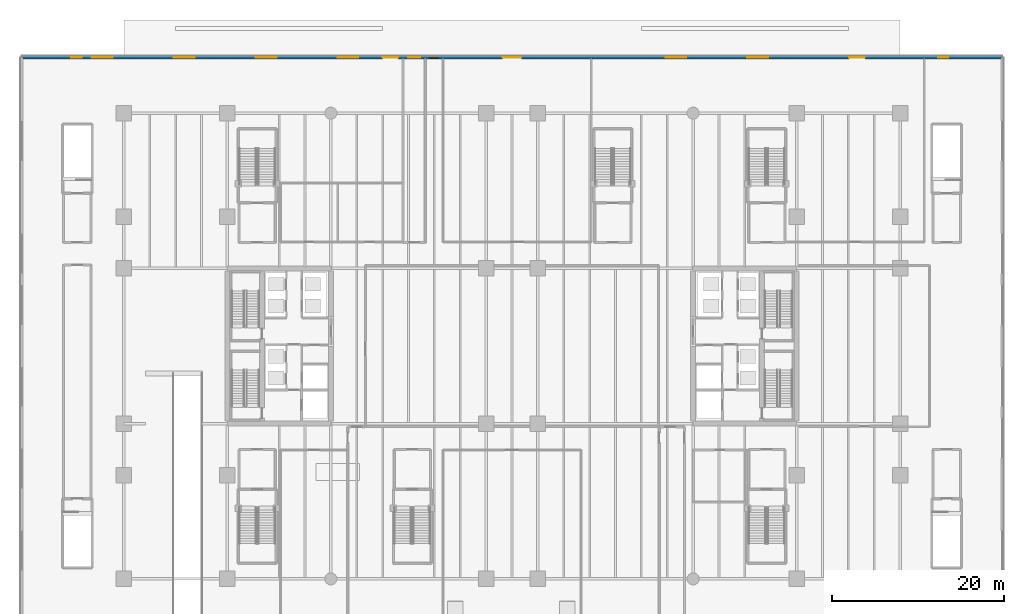
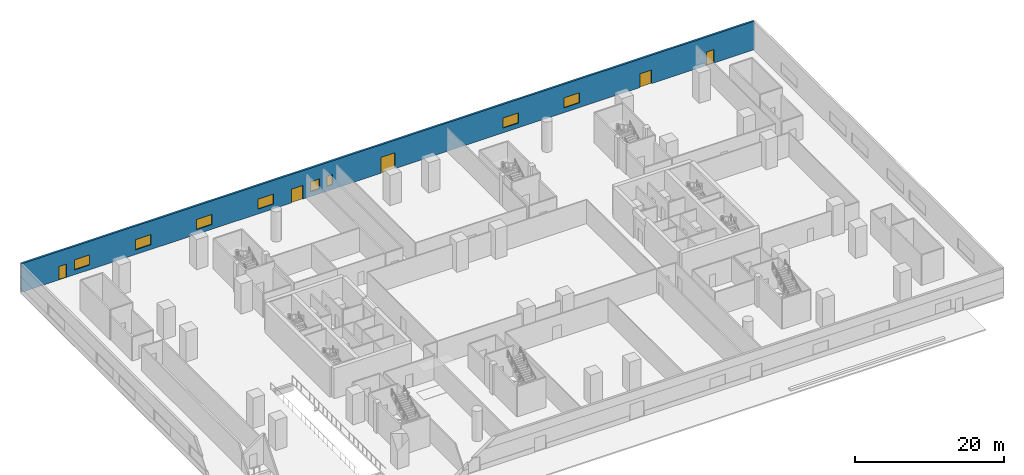
# One storey, part 11 of 25: 8 windows, 5 doors, 1 wall, 13 openings.
"""IFC4 building model written with IfcOpenShell, lengths in metres."""

from ifc_helpers import new_model, si_unit, direction, frame, frame_2d, origin, place, context, subcontext, project, spatial, rectangle, extrude, material, layer, layer_set, type_object, element, fill, save


model = new_model("IFC4")

# Units and contexts
model_context = context("Model", 3, precision=1e-05, world=origin(), true_north=direction((0.0, 1.0)))
body_context = subcontext(model_context, "Body", "Model", "MODEL_VIEW")
ifc_project = project(units=[si_unit("LENGTHUNIT", "METRE"), si_unit("AREAUNIT", "SQUARE_METRE"), si_unit("VOLUMEUNIT", "CUBIC_METRE"), si_unit("PLANEANGLEUNIT", "RADIAN"), si_unit("MASSUNIT", "GRAM", prefix="KILO")], contexts=[model_context])

# Site, building, storey
site_placement = place(None, origin())
site = spatial("IfcSite", under=ifc_project, at=site_placement, CompositionType="ELEMENT")
building_placement = place(site_placement, origin())
building = spatial("IfcBuilding", under=site, at=building_placement, Name="Tanjung Sevakor Pilgrim Tower", CompositionType="ELEMENT")
storey_placement = place(building_placement, origin())
storey = spatial("IfcBuildingStorey", under=building, at=storey_placement, Name="L01", CompositionType="ELEMENT", Elevation=0.0)

# Wall, openings, doors, windows
ifc_material_1 = material(Name="Precast concrete C45/55", Category="concrete")
ifc_layer = layer(ifc_material_1, 0.300048828125)
ifc_layer_set = layer_set([ifc_layer], Name="WT-EW-STN1")
wall_type = type_object("IfcWallType", Name="WT-EW-STN1", PredefinedType="SOLIDWALL", material=ifc_layer_set)
wall_placement = place(storey_placement, frame((113.85009765625, 67.050048828125, 0.0), z_axis=(0.0, 0.0, 1.0), x_axis=(-1.0, 0.0, 0.0)))
wall = element("IfcWall", 1, at=wall_placement, inside=storey, type_object=wall_type, Name="L01 MAIN Exterior Wall 3", PredefinedType="SOLIDWALL", context=body_context, shape_type="SweptSolid", body=[
    extrude(rectangle(XDim=113.7001953125, YDim=0.300048828125, at=frame_2d((56.85009765625, 0.0))), origin(), (0.0, 0.0, 1.0), 4.669921875),
])
opening_1_placement = place(wall_placement, frame((6.25, 0.0, 0.0)))
opening_1 = element("IfcOpeningElement", 2, at=opening_1_placement, cuts=wall, Name="Opening ED-EXIT-1200", PredefinedType="OPENING", context=body_context, shape_type="SweptSolid", body=[
    extrude(rectangle(XDim=1.199951171875, YDim=2.199951171875, at=frame_2d((0.60009765625, 1.10009765625))), frame((0.0, 0.159912109375, 0.0), z_axis=(0.0, -1.0, 0.0), x_axis=(1.0, 0.0, 0.0)), (0.0, 0.0, 1.0), 0.320068359375),
])
opening_2_placement = place(wall_placement, frame((15.949951171875, 0.0, 0.0)))
opening_2 = element("IfcOpeningElement", 3, at=opening_2_placement, cuts=wall, Name="Opening ED-EXIT-1800", PredefinedType="OPENING", context=body_context, shape_type="SweptSolid", body=[
    extrude(rectangle(XDim=1.800048828125, YDim=2.25, at=frame_2d((0.89990234375, 1.125))), frame((0.0, 0.159912109375, 0.0), z_axis=(0.0, -1.0, 0.0), x_axis=(1.0, 0.0, 0.0)), (0.0, 0.0, 1.0), 0.320068359375),
])
opening_3_placement = place(wall_placement, frame((55.75, 0.0, 0.0)))
opening_3 = element("IfcOpeningElement", 4, at=opening_3_placement, cuts=wall, Name="Opening ED-ENT-2200", PredefinedType="OPENING", context=body_context, shape_type="SweptSolid", body=[
    extrude(rectangle(XDim=2.199951171875, YDim=2.60009765625, at=frame_2d((1.10009765625, 1.300048828125))), frame((0.0, 0.159912109375, 0.0), z_axis=(0.0, -1.0, 0.0), x_axis=(1.0, 0.0, 0.0)), (0.0, 0.0, 1.0), 0.320068359375),
])
opening_4_placement = place(wall_placement, frame((70.050048828125, 0.0, 0.0)))
opening_4 = element("IfcOpeningElement", 5, at=opening_4_placement, cuts=wall, Name="Opening ED-EXIT-1800", PredefinedType="OPENING", context=body_context, shape_type="SweptSolid", body=[
    extrude(rectangle(XDim=1.800048828125, YDim=2.25, at=frame_2d((0.89990234375, 1.125))), frame((0.0, 0.159912109375, 0.0), z_axis=(0.0, -1.0, 0.0), x_axis=(1.0, 0.0, 0.0)), (0.0, 0.0, 1.0), 0.320068359375),
])
opening_5_placement = place(wall_placement, frame((106.75, 0.0, 0.0)))
opening_5 = element("IfcOpeningElement", 6, at=opening_5_placement, cuts=wall, Name="Opening ED-EXIT-1200", PredefinedType="OPENING", context=body_context, shape_type="SweptSolid", body=[
    extrude(rectangle(XDim=1.199951171875, YDim=2.199951171875, at=frame_2d((0.60009765625, 1.10009765625))), frame((0.0, 0.159912109375, 0.0), z_axis=(0.0, -1.0, 0.0), x_axis=(1.0, 0.0, 0.0)), (0.0, 0.0, 1.0), 0.320068359375),
])
opening_6_placement = place(wall_placement, frame((67.5, 0.0, 0.780029296875)))
opening_6 = element("IfcOpeningElement", 7, at=opening_6_placement, cuts=wall, Name="Opening WN-END", PredefinedType="OPENING", context=body_context, shape_type="SweptSolid", body=[
    extrude(rectangle(XDim=1.39990234375, YDim=1.64990234375, at=frame_2d((0.699951171875, 0.824951171875))), frame((0.0, 0.159912109375, 0.0), z_axis=(0.0, -1.0, 0.0), x_axis=(1.0, 0.0, 0.0)), (0.0, 0.0, 1.0), 0.320068359375),
])
opening_7_placement = place(wall_placement, frame((65.449951171875, 0.0, 0.780029296875)))
opening_7 = element("IfcOpeningElement", 8, at=opening_7_placement, cuts=wall, Name="Opening WN-SLM", PredefinedType="OPENING", context=body_context, shape_type="SweptSolid", body=[
    extrude(rectangle(XDim=0.85009765625, YDim=1.64990234375, at=frame_2d((0.425048828125, 0.824951171875))), frame((0.0, 0.159912109375, 0.0), z_axis=(0.0, -1.0, 0.0), x_axis=(1.0, 0.0, 0.0)), (0.0, 0.0, 1.0), 0.320068359375),
])
opening_8_placement = place(wall_placement, frame((27.14990234375, 0.0, 0.780029296875)))
opening_8 = element("IfcOpeningElement", 9, at=opening_8_placement, cuts=wall, Name="Opening WN-P1-1660", PredefinedType="OPENING", context=body_context, shape_type="SweptSolid", body=[
    extrude(rectangle(XDim=2.39990234375, YDim=1.659912109375, at=frame_2d((1.199951171875, 0.830078125))), frame((0.0, 0.159912109375, 0.0), z_axis=(0.0, -1.0, 0.0), x_axis=(1.0, 0.0, 0.0)), (0.0, 0.0, 1.0), 0.320068359375),
])
opening_9_placement = place(wall_placement, frame((36.64990234375, 0.0, 0.780029296875)))
opening_9 = element("IfcOpeningElement", 10, at=opening_9_placement, cuts=wall, Name="Opening WN-P1-1660", PredefinedType="OPENING", context=body_context, shape_type="SweptSolid", body=[
    extrude(rectangle(XDim=2.39990234375, YDim=1.659912109375, at=frame_2d((1.199951171875, 0.830078125))), frame((0.0, 0.159912109375, 0.0), z_axis=(0.0, -1.0, 0.0), x_axis=(1.0, 0.0, 0.0)), (0.0, 0.0, 1.0), 0.320068359375),
])
opening_10_placement = place(wall_placement, frame((74.64990234375, 0.0, 0.780029296875)))
opening_10 = element("IfcOpeningElement", 11, at=opening_10_placement, cuts=wall, Name="Opening WN-P1-1660", PredefinedType="OPENING", context=body_context, shape_type="SweptSolid", body=[
    extrude(rectangle(XDim=2.39990234375, YDim=1.659912109375, at=frame_2d((1.199951171875, 0.830078125))), frame((0.0, 0.159912109375, 0.0), z_axis=(0.0, -1.0, 0.0), x_axis=(1.0, 0.0, 0.0)), (0.0, 0.0, 1.0), 0.320068359375),
])
opening_11_placement = place(wall_placement, frame((84.14990234375, 0.0, 0.780029296875)))
opening_11 = element("IfcOpeningElement", 12, at=opening_11_placement, cuts=wall, Name="Opening WN-P1-1660", PredefinedType="OPENING", context=body_context, shape_type="SweptSolid", body=[
    extrude(rectangle(XDim=2.39990234375, YDim=1.659912109375, at=frame_2d((1.199951171875, 0.830078125))), frame((0.0, 0.159912109375, 0.0), z_axis=(0.0, -1.0, 0.0), x_axis=(1.0, 0.0, 0.0)), (0.0, 0.0, 1.0), 0.320068359375),
])
opening_12_placement = place(wall_placement, frame((93.64990234375, 0.0, 0.780029296875)))
opening_12 = element("IfcOpeningElement", 13, at=opening_12_placement, cuts=wall, Name="Opening WN-P1-1660", PredefinedType="OPENING", context=body_context, shape_type="SweptSolid", body=[
    extrude(rectangle(XDim=2.39990234375, YDim=1.659912109375, at=frame_2d((1.199951171875, 0.830078125))), frame((0.0, 0.159912109375, 0.0), z_axis=(0.0, -1.0, 0.0), x_axis=(1.0, 0.0, 0.0)), (0.0, 0.0, 1.0), 0.320068359375),
])
opening_13_placement = place(wall_placement, frame((103.14990234375, 0.0, 0.780029296875)))
opening_13 = element("IfcOpeningElement", 14, at=opening_13_placement, cuts=wall, Name="Opening WN-P1-1660", PredefinedType="OPENING", context=body_context, shape_type="SweptSolid", body=[
    extrude(rectangle(XDim=2.39990234375, YDim=1.659912109375, at=frame_2d((1.199951171875, 0.830078125))), frame((0.0, 0.159912109375, 0.0), z_axis=(0.0, -1.0, 0.0), x_axis=(1.0, 0.0, 0.0)), (0.0, 0.0, 1.0), 0.320068359375),
])
ifc_material_2 = material(Name="Anodised Aluminium and Laminated Glass", Category="aluminium")
door_type_1 = type_object("IfcDoorType", Name="DTYP-ED-ENT-2200", OperationType="DOUBLE_DOOR_SINGLE_SWING", PredefinedType="DOOR", material=ifc_material_2)
door_1_placement = place(opening_3_placement, frame((2.199951171875, 0.0, 0.0), z_axis=(0.0, 0.0, 1.0), x_axis=(-1.0, 0.0, 0.0)))
door_1 = element("IfcDoor", 15, at=door_1_placement, inside=storey, type_object=door_type_1, Name="L01 North Concourse Entrance", OperationType="SINGLE_SWING_LEFT", OverallHeight=2.60009765625, OverallWidth=2.199951171875, PredefinedType="DOOR", context=body_context, shape_type="SweptSolid", body=[
    extrude(rectangle(XDim=2.199951171875, YDim=2.60009765625, at=frame_2d((1.10009765625, 1.300048828125))), frame((0.0, 0.02490234375, 0.0), z_axis=(0.0, -1.0, 0.0), x_axis=(1.0, 0.0, 0.0)), (0.0, 0.0, 1.0), 0.050048828125),
])
fill(opening_3, door_1)
ifc_material_3 = material(Name="Anodised Aluminium and Laminated Glass", Category="aluminium")
door_type_2 = type_object("IfcDoorType", Name="DTYP-ED-EXIT-1200", OperationType="NOTDEFINED", PredefinedType="DOOR", material=ifc_material_3)
door_2_placement = place(opening_1_placement, frame((1.199951171875, 0.0, 0.0), z_axis=(0.0, 0.0, 1.0), x_axis=(-1.0, 0.0, 0.0)))
door_2 = element("IfcDoor", 16, at=door_2_placement, inside=storey, type_object=door_type_2, Name="L01 North-East Stair Discharge Door", OperationType="SINGLE_SWING_LEFT", OverallHeight=2.199951171875, OverallWidth=1.199951171875, PredefinedType="DOOR", context=body_context, shape_type="SweptSolid", body=[
    extrude(rectangle(XDim=1.199951171875, YDim=2.199951171875, at=frame_2d((0.60009765625, 1.10009765625))), frame((0.0, 0.02490234375, 0.0), z_axis=(0.0, -1.0, 0.0), x_axis=(1.0, 0.0, 0.0)), (0.0, 0.0, 1.0), 0.050048828125),
])
fill(opening_1, door_2)
door_3_placement = place(opening_5_placement, frame((1.199951171875, 0.0, 0.0), z_axis=(0.0, 0.0, 1.0), x_axis=(-1.0, 0.0, 0.0)))
door_3 = element("IfcDoor", 17, at=door_3_placement, inside=storey, type_object=door_type_2, Name="L01 North-West Stair Discharge Door", OperationType="SINGLE_SWING_LEFT", OverallHeight=2.199951171875, OverallWidth=1.199951171875, PredefinedType="DOOR", context=body_context, shape_type="SweptSolid", body=[
    extrude(rectangle(XDim=1.199951171875, YDim=2.199951171875, at=frame_2d((0.60009765625, 1.10009765625))), frame((0.0, 0.02490234375, 0.0), z_axis=(0.0, -1.0, 0.0), x_axis=(1.0, 0.0, 0.0)), (0.0, 0.0, 1.0), 0.050048828125),
])
fill(opening_5, door_3)
ifc_material_4 = material(Name="Anodised Aluminium and Laminated Glass", Category="aluminium")
door_type_3 = type_object("IfcDoorType", Name="DTYP-ED-EXIT-1800", OperationType="DOUBLE_DOOR_SINGLE_SWING", PredefinedType="DOOR", material=ifc_material_4)
door_4_placement = place(opening_2_placement, frame((1.800048828125, 0.0, 0.0), z_axis=(0.0, 0.0, 1.0), x_axis=(-1.0, 0.0, 0.0)))
door_4 = element("IfcDoor", 18, at=door_4_placement, inside=storey, type_object=door_type_3, Name="L01 East Retail Street Entrance", OperationType="SINGLE_SWING_RIGHT", OverallHeight=2.25, OverallWidth=1.800048828125, PredefinedType="DOOR", context=body_context, shape_type="SweptSolid", body=[
    extrude(rectangle(XDim=1.800048828125, YDim=2.25, at=frame_2d((0.89990234375, 1.125))), frame((0.0, 0.02490234375, 0.0), z_axis=(0.0, -1.0, 0.0), x_axis=(1.0, 0.0, 0.0)), (0.0, 0.0, 1.0), 0.050048828125),
])
fill(opening_2, door_4)
door_5_placement = place(opening_4_placement, frame((1.800048828125, 0.0, 0.0), z_axis=(0.0, 0.0, 1.0), x_axis=(-1.0, 0.0, 0.0)))
door_5 = element("IfcDoor", 19, at=door_5_placement, inside=storey, type_object=door_type_3, Name="L01 North Protected Final Exit Door", OperationType="SINGLE_SWING_RIGHT", OverallHeight=2.25, OverallWidth=1.800048828125, PredefinedType="DOOR", context=body_context, shape_type="SweptSolid", body=[
    extrude(rectangle(XDim=1.800048828125, YDim=2.25, at=frame_2d((0.89990234375, 1.125))), frame((0.0, 0.02490234375, 0.0), z_axis=(0.0, -1.0, 0.0), x_axis=(1.0, 0.0, 0.0)), (0.0, 0.0, 1.0), 0.050048828125),
])
fill(opening_4, door_5)
ifc_material_5 = material(Name="Thermally Broken Aluminium and Low-E Glass", Category="aluminium")
window_type_1 = type_object("IfcWindowType", Name="WTYP-WN-END", PartitioningType="SINGLE_PANEL", PredefinedType="WINDOW", material=ifc_material_5)
window_1_placement = place(opening_6_placement, origin())
window_1 = element("IfcWindow", 20, at=window_1_placement, inside=storey, type_object=window_type_1, Name="L01 Facade Window 01", OverallHeight=1.64990234375, OverallWidth=1.39990234375, PartitioningType="SINGLE_PANEL", PredefinedType="WINDOW", context=body_context, shape_type="SweptSolid", body=[
    extrude(rectangle(XDim=1.39990234375, YDim=1.64990234375, at=frame_2d((0.699951171875, 0.824951171875))), frame((0.0, 0.030029296875, 0.0), z_axis=(0.0, -1.0, 0.0), x_axis=(1.0, 0.0, 0.0)), (0.0, 0.0, 1.0), 0.06005859375),
])
fill(opening_6, window_1)
ifc_material_6 = material(Name="Thermally Broken Aluminium and Low-E Glass", Category="aluminium")
window_type_2 = type_object("IfcWindowType", Name="WTYP-WN-P1-1660", PartitioningType="DOUBLE_PANEL_VERTICAL", PredefinedType="WINDOW", material=ifc_material_6)
window_2_placement = place(opening_8_placement, origin())
window_2 = element("IfcWindow", 21, at=window_2_placement, inside=storey, type_object=window_type_2, Name="L01 Facade Window 03", OverallHeight=1.659912109375, OverallWidth=2.39990234375, PartitioningType="SINGLE_PANEL", PredefinedType="WINDOW", context=body_context, shape_type="SweptSolid", body=[
    extrude(rectangle(XDim=2.39990234375, YDim=1.659912109375, at=frame_2d((1.199951171875, 0.830078125))), frame((0.0, 0.030029296875, 0.0), z_axis=(0.0, -1.0, 0.0), x_axis=(1.0, 0.0, 0.0)), (0.0, 0.0, 1.0), 0.06005859375),
])
fill(opening_8, window_2)
window_3_placement = place(opening_9_placement, origin())
window_3 = element("IfcWindow", 22, at=window_3_placement, inside=storey, type_object=window_type_2, Name="L01 Facade Window 04", OverallHeight=1.659912109375, OverallWidth=2.39990234375, PartitioningType="SINGLE_PANEL", PredefinedType="WINDOW", context=body_context, shape_type="SweptSolid", body=[
    extrude(rectangle(XDim=2.39990234375, YDim=1.659912109375, at=frame_2d((1.199951171875, 0.830078125))), frame((0.0, 0.030029296875, 0.0), z_axis=(0.0, -1.0, 0.0), x_axis=(1.0, 0.0, 0.0)), (0.0, 0.0, 1.0), 0.06005859375),
])
fill(opening_9, window_3)
window_4_placement = place(opening_10_placement, origin())
window_4 = element("IfcWindow", 23, at=window_4_placement, inside=storey, type_object=window_type_2, Name="L01 Facade Window 05", OverallHeight=1.659912109375, OverallWidth=2.39990234375, PartitioningType="SINGLE_PANEL", PredefinedType="WINDOW", context=body_context, shape_type="SweptSolid", body=[
    extrude(rectangle(XDim=2.39990234375, YDim=1.659912109375, at=frame_2d((1.199951171875, 0.830078125))), frame((0.0, 0.030029296875, 0.0), z_axis=(0.0, -1.0, 0.0), x_axis=(1.0, 0.0, 0.0)), (0.0, 0.0, 1.0), 0.06005859375),
])
fill(opening_10, window_4)
window_5_placement = place(opening_11_placement, origin())
window_5 = element("IfcWindow", 24, at=window_5_placement, inside=storey, type_object=window_type_2, Name="L01 Facade Window 06", OverallHeight=1.659912109375, OverallWidth=2.39990234375, PartitioningType="SINGLE_PANEL", PredefinedType="WINDOW", context=body_context, shape_type="SweptSolid", body=[
    extrude(rectangle(XDim=2.39990234375, YDim=1.659912109375, at=frame_2d((1.199951171875, 0.830078125))), frame((0.0, 0.030029296875, 0.0), z_axis=(0.0, -1.0, 0.0), x_axis=(1.0, 0.0, 0.0)), (0.0, 0.0, 1.0), 0.06005859375),
])
fill(opening_11, window_5)
window_6_placement = place(opening_12_placement, origin())
window_6 = element("IfcWindow", 25, at=window_6_placement, inside=storey, type_object=window_type_2, Name="L01 Facade Window 07", OverallHeight=1.659912109375, OverallWidth=2.39990234375, PartitioningType="SINGLE_PANEL", PredefinedType="WINDOW", context=body_context, shape_type="SweptSolid", body=[
    extrude(rectangle(XDim=2.39990234375, YDim=1.659912109375, at=frame_2d((1.199951171875, 0.830078125))), frame((0.0, 0.030029296875, 0.0), z_axis=(0.0, -1.0, 0.0), x_axis=(1.0, 0.0, 0.0)), (0.0, 0.0, 1.0), 0.06005859375),
])
fill(opening_12, window_6)
window_7_placement = place(opening_13_placement, origin())
window_7 = element("IfcWindow", 26, at=window_7_placement, inside=storey, type_object=window_type_2, Name="L01 Facade Window 08", OverallHeight=1.659912109375, OverallWidth=2.39990234375, PartitioningType="SINGLE_PANEL", PredefinedType="WINDOW", context=body_context, shape_type="SweptSolid", body=[
    extrude(rectangle(XDim=2.39990234375, YDim=1.659912109375, at=frame_2d((1.199951171875, 0.830078125))), frame((0.0, 0.030029296875, 0.0), z_axis=(0.0, -1.0, 0.0), x_axis=(1.0, 0.0, 0.0)), (0.0, 0.0, 1.0), 0.06005859375),
])
fill(opening_13, window_7)
ifc_material_7 = material(Name="Thermally Broken Aluminium and Low-E Glass", Category="aluminium")
window_type_3 = type_object("IfcWindowType", Name="WTYP-WN-SLM", PartitioningType="SINGLE_PANEL", PredefinedType="WINDOW", material=ifc_material_7)
window_8_placement = place(opening_7_placement, origin())
window_8 = element("IfcWindow", 27, at=window_8_placement, inside=storey, type_object=window_type_3, Name="L01 Facade Window 02", OverallHeight=1.64990234375, OverallWidth=0.85009765625, PartitioningType="SINGLE_PANEL", PredefinedType="WINDOW", context=body_context, shape_type="SweptSolid", body=[
    extrude(rectangle(XDim=0.85009765625, YDim=1.64990234375, at=frame_2d((0.425048828125, 0.824951171875))), frame((0.0, 0.030029296875, 0.0), z_axis=(0.0, -1.0, 0.0), x_axis=(1.0, 0.0, 0.0)), (0.0, 0.0, 1.0), 0.06005859375),
])
fill(opening_7, window_8)

save(model, "model.ifc")
